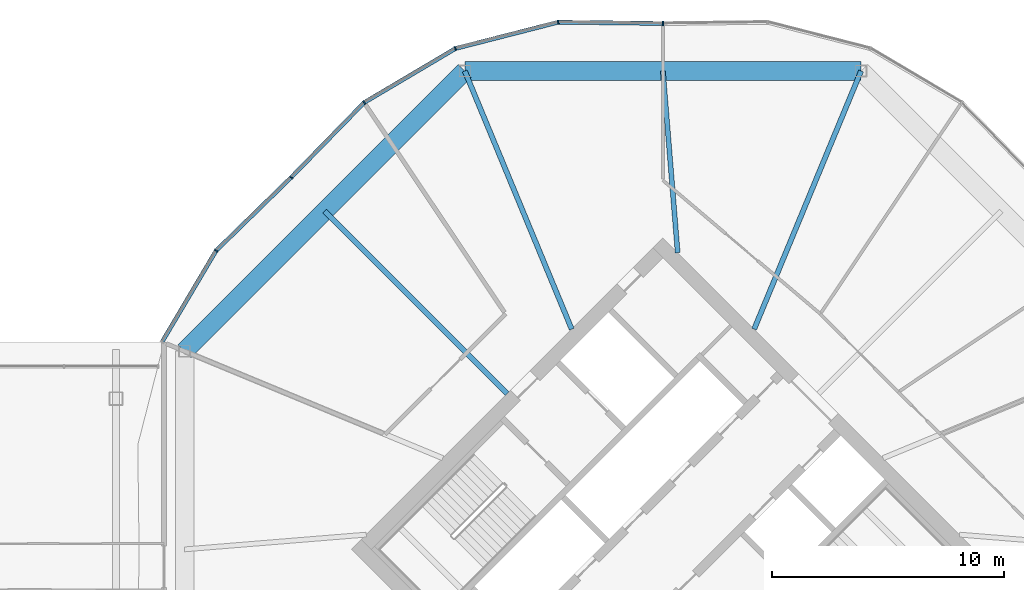
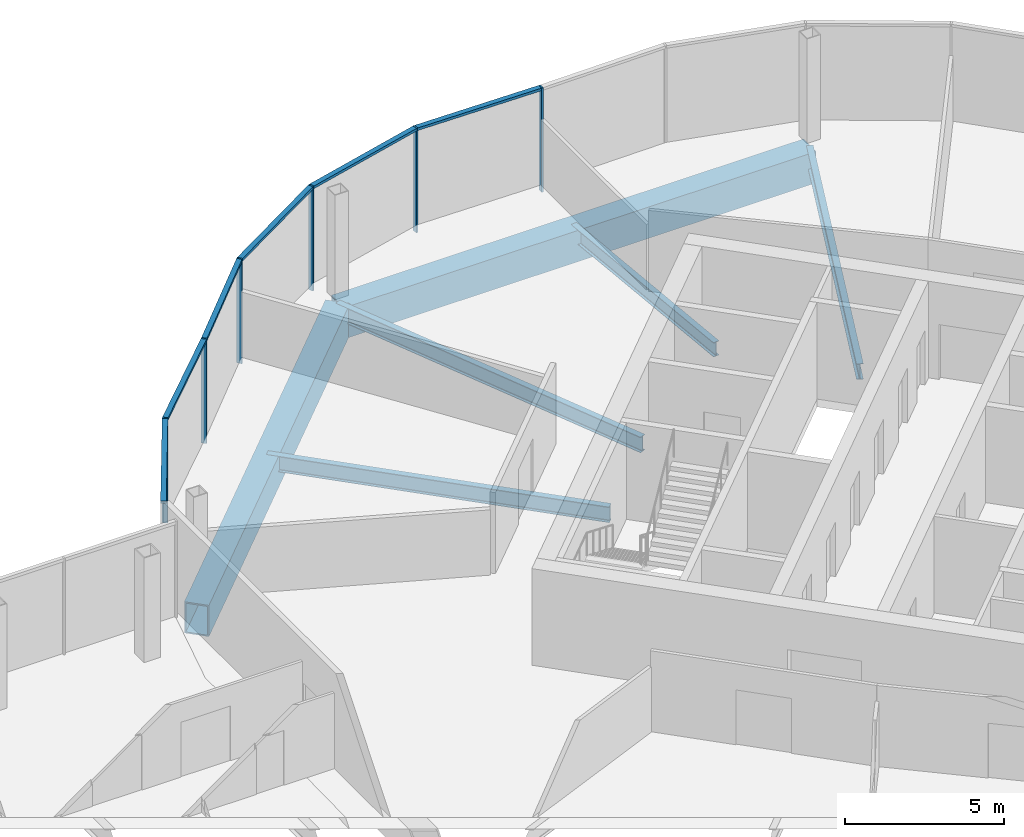
# One storey, part 15 of 25: 12 members, 6 beams, 3 elements without a shape of their own.
"""IFC4 building model written with IfcOpenShell, lengths in metres."""

import ifcopenshell
import ifcopenshell.guid

model = None  # the IFC model being written
_history = None  # IfcOwnerHistory: only IFC2X3 demands one
_inside = {}  # id of a spatial element -> (the spatial element, [elements in it])
_under = {}  # id of a project, library or spatial element -> (it, [spatial elements below it])
_declared = {}  # id of a project -> (the project, [libraries it declares])
_typed = {}  # id of a type object -> (the type object, [elements of that type])
_made_of = {}  # id of a material, layer set ... -> (it, [elements and type objects made of it])


def new_model(schema):
    """Start an empty IFC model of exactly this schema.

    Asked for "IFC4X3", IfcOpenShell would pick the latest addendum, in which some entities
    have other attributes; the version numbers below select the first issue.
    IFC2X3 requires an IfcOwnerHistory on every rooted entity: one is made here for all.
    """
    global model, _history
    if schema == "IFC4X3":
        model = ifcopenshell.file(schema_version=(4, 3, 0, 0))
    else:
        model = ifcopenshell.file(schema=schema)
    _inside.clear()
    _under.clear()
    _declared.clear()
    _typed.clear()
    _made_of.clear()
    _history = None
    if model.schema == "IFC2X3":
        org = make("IfcOrganization", Name="unknown")
        user = make(
            "IfcPersonAndOrganization",
            ThePerson=make("IfcPerson", FamilyName="unknown"),
            TheOrganization=org,
        )
        app = make(
            "IfcApplication",
            ApplicationDeveloper=org,
            Version="unknown",
            ApplicationFullName="unknown",
            ApplicationIdentifier="unknown",
        )
        _history = make(
            "IfcOwnerHistory",
            OwningUser=user,
            OwningApplication=app,
            ChangeAction="ADDED",
            CreationDate=0,
        )
    return model


def make(cls, **values):
    """One entity of the class cls with the attributes given. An attribute that is None is left unset."""
    return model.create_entity(
        cls, **{name: value for name, value in values.items() if value is not None}
    )


def rooted(cls, **values):
    """An entity with a GlobalId (a new one), such as an element, a storey or a relation."""
    return make(cls, GlobalId=ifcopenshell.guid.new(), OwnerHistory=_history, **values)


def si_unit(unit_type, name, prefix=None):
    """IfcSIUnit, for example si_unit("LENGTHUNIT", "METRE", prefix="MILLI")."""
    return make("IfcSIUnit", UnitType=unit_type, Prefix=prefix, Name=name)


def assignment(units):
    """IfcUnitAssignment: the units of a project."""
    return None if units is None else make("IfcUnitAssignment", Units=units)


def point(xyz):
    """IfcCartesianPoint."""
    return None if xyz is None else make("IfcCartesianPoint", Coordinates=xyz)


def direction(xyz):
    """IfcDirection."""
    return None if xyz is None else make("IfcDirection", DirectionRatios=xyz)


def frame(location, z_axis=None, x_axis=None):
    """IfcAxis2Placement3D, a coordinate frame: its origin and axes. An axis left out is left unset."""
    return make(
        "IfcAxis2Placement3D",
        Location=point(location),
        Axis=direction(z_axis),
        RefDirection=direction(x_axis),
    )


def frame_2d(location, x_axis=None):
    """IfcAxis2Placement2D, a coordinate frame in the plane: its origin and x axis."""
    return make(
        "IfcAxis2Placement2D", Location=point(location), RefDirection=direction(x_axis)
    )


def origin():
    """The frame at (0, 0, 0) with its axes left unset."""
    return frame((0.0, 0.0, 0.0))


def origin_2d():
    """The frame at (0, 0) in the plane with its x axis left unset."""
    return frame_2d((0.0, 0.0))


def place(relative_to, where):
    """IfcLocalPlacement: puts the frame where relative to a parent placement (None: the world)."""
    return make(
        "IfcLocalPlacement", PlacementRelTo=relative_to, RelativePlacement=where
    )


def context(
    kind, dimensions, precision=None, world=None, true_north=None, identifier=None
):
    """IfcGeometricRepresentationContext, for example the 3D "Model" context."""
    return make(
        "IfcGeometricRepresentationContext",
        ContextIdentifier=identifier,
        ContextType=kind,
        CoordinateSpaceDimension=dimensions,
        Precision=precision,
        WorldCoordinateSystem=world,
        TrueNorth=true_north,
    )


def subcontext(parent, identifier, kind, view, scale=None):
    """IfcGeometricRepresentationSubContext, for example "Body" below "Model"."""
    return make(
        "IfcGeometricRepresentationSubContext",
        ContextIdentifier=identifier,
        ContextType=kind,
        ParentContext=parent,
        TargetScale=scale,
        TargetView=view,
    )


def project(units=None, contexts=None):
    """IfcProject with its units and contexts."""
    return rooted(
        "IfcProject",
        Name="project",
        RepresentationContexts=contexts,
        UnitsInContext=assignment(units),
    )


def spatial(cls, under=None, at=None, **own):
    """A site, building, storey or space (cls), placed at a placement, below another one or the project."""
    s = rooted(cls, ObjectPlacement=at, **own)
    if under is not None:
        _under.setdefault(under.id(), (under, []))[1].append(s)
    return s


def profile(cls, at=None, kind="AREA", **sizes):
    """A parametric profile (cls). Its sizes go by their IFC names, for example OverallWidth=200.0."""
    return make(cls, ProfileType=kind, Position=at, **sizes)


def rectangle(**sizes):
    """IfcRectangleProfileDef."""
    return profile("IfcRectangleProfileDef", **sizes)


def hollow_rectangle(**sizes):
    """IfcRectangleHollowProfileDef."""
    return profile("IfcRectangleHollowProfileDef", **sizes)


def i_section(**sizes):
    """IfcIShapeProfileDef."""
    return profile("IfcIShapeProfileDef", **sizes)


def extrude(swept, where, along, depth):
    """IfcExtrudedAreaSolid: the profile swept, set in the frame where, extruded along a direction by depth."""
    return make(
        "IfcExtrudedAreaSolid",
        SweptArea=swept,
        Position=where,
        ExtrudedDirection=direction(along),
        Depth=depth,
    )


def shape(context_of_items, identifier, shape_type, items):
    """IfcShapeRepresentation: the items that make up one representation, for example the "Body"."""
    return make(
        "IfcShapeRepresentation",
        ContextOfItems=context_of_items,
        RepresentationIdentifier=identifier,
        RepresentationType=shape_type,
        Items=items,
    )


def material(Name=None, Category=None):
    """IfcMaterial."""
    return make("IfcMaterial", Name=Name, Category=Category)


def material_profile(
    of_material, cross_section, Name=None, Category=None, Priority=None
):
    """IfcMaterialProfile: a cross section and its material."""
    return make(
        "IfcMaterialProfile",
        Name=Name,
        Material=of_material,
        Profile=cross_section,
        Priority=Priority,
        Category=Category,
    )


def profile_set(profiles, Name=None, composite=None):
    """IfcMaterialProfileSet."""
    return make(
        "IfcMaterialProfileSet",
        Name=Name,
        MaterialProfiles=profiles,
        CompositeProfile=composite,
    )


def made_of(thing, what):
    """Note that an element or type object is made of a material, layer set ...; save() writes the relation."""
    if what is not None:
        _made_of.setdefault(what.id(), (what, []))[1].append(thing)
    return thing


def type_object(cls, material=None, **own):
    """A type object (cls), such as IfcWallType, which elements share."""
    return made_of(rooted(cls, **own), material)


def element(
    cls,
    number,
    at=None,
    inside=None,
    cuts=None,
    type_object=None,
    material=None,
    context=None,
    identifier="Body",
    shape_type=None,
    held_by="IfcProductDefinitionShape",
    body=None,
    shapes=None,
    **own,
):
    """One element of the class cls, such as IfcWall. Its Tag is "e" and its number.

    at: its placement. inside: the storey or other place that contains it. cuts: it is an
    opening in that element (IfcRelVoidsElement). A single representation is given by context,
    identifier, shape_type and body (its items); several are given by shapes. held_by: the class
    of the entity that holds the representations. save() writes the other relations.
    """
    e = rooted(cls, Tag="e%d" % number, ObjectPlacement=at, **own)
    if body is not None:
        shapes = [shape(context, identifier, shape_type, body)]
    if shapes is not None:
        e.Representation = make(held_by, Representations=shapes)
    if inside is not None:
        _inside.setdefault(inside.id(), (inside, []))[1].append(e)
    if cuts is not None:
        rooted(
            "IfcRelVoidsElement", RelatingBuildingElement=cuts, RelatedOpeningElement=e
        )
    if type_object is not None:
        _typed.setdefault(type_object.id(), (type_object, []))[1].append(e)
    return made_of(e, material)


def aggregate(whole, parts):
    """IfcRelAggregates: a whole, such as a stair, and the parts it consists of."""
    return rooted("IfcRelAggregates", RelatingObject=whole, RelatedObjects=parts)


def save(model, path):
    """Write the relations noted so far, then the file.

    IfcRelAggregates (storeys below a building ...), IfcRelContainedInSpatialStructure (elements
    in a storey), IfcRelDefinesByType, IfcRelAssociatesMaterial and IfcRelDeclares: one each for
    every whole, place, type object, material and project.
    """
    for whole, parts in _under.values():
        aggregate(whole, parts)
    for where, things in _inside.values():
        rooted(
            "IfcRelContainedInSpatialStructure",
            RelatedElements=things,
            RelatingStructure=where,
        )
    for kind, things in _typed.values():
        rooted("IfcRelDefinesByType", RelatedObjects=things, RelatingType=kind)
    for what, things in _made_of.values():
        rooted("IfcRelAssociatesMaterial", RelatedObjects=things, RelatingMaterial=what)
    for by, libraries in _declared.values():
        rooted("IfcRelDeclares", RelatingContext=by, RelatedDefinitions=libraries)
    model.write(path)


model = new_model("IFC4")

# Units and contexts
model_context = context("Model", 3, precision=1e-05, world=origin(), true_north=direction((0.0, 1.0)))
body_context = subcontext(model_context, "Body", "Model", "MODEL_VIEW")
ifc_project = project(units=[si_unit("LENGTHUNIT", "METRE"), si_unit("AREAUNIT", "SQUARE_METRE"), si_unit("VOLUMEUNIT", "CUBIC_METRE"), si_unit("PLANEANGLEUNIT", "RADIAN"), si_unit("MASSUNIT", "GRAM", prefix="KILO")], contexts=[model_context])

# Site, building, storey
site_placement = place(None, origin())
site = spatial("IfcSite", under=ifc_project, at=site_placement, CompositionType="ELEMENT")
building_placement = place(site_placement, origin())
building = spatial("IfcBuilding", under=site, at=building_placement, Name="Ogive Gate Towers", CompositionType="ELEMENT")
storey_placement = place(building_placement, frame((0.0, 0.0, 144.800048828125)))
storey = spatial("IfcBuildingStorey", under=building, at=storey_placement, Name="L34", CompositionType="ELEMENT", Elevation=144.800048828125)

# Beams
ifc_material_1 = material(Name="Steel SM460", Category="steel")
ifc_material_profile_1 = material_profile(ifc_material_1, hollow_rectangle(XDim=0.800048828125, YDim=1.199951171875, WallThickness=0.050048828125, at=origin_2d()), Name="BX 1200x800x50")
ifc_profile_set_1 = profile_set([ifc_material_profile_1], Name="Steel SM460")
beam_type_1 = type_object("IfcBeamType", Name="Edge girder BX 1200x800x50", PredefinedType="BEAM", material=ifc_profile_set_1)
beam_1_placement = place(storey_placement, frame((44.549072265625, 20.639404296875, -0.900146484375), z_axis=(-1.0, 0.0, 0.0), x_axis=(0.0, -1.0, 0.0)))
element("IfcBeam", 1, at=beam_1_placement, inside=storey, type_object=beam_type_1, Name="T2/L34/SBM022", PredefinedType="BEAM", context=body_context, shape_type="SweptSolid", body=[
    extrude(hollow_rectangle(XDim=0.800048828125, YDim=1.199951171875, WallThickness=0.050048828125, at=origin_2d()), origin(), (0.0, 0.0, 1.0), 17.09814453125),
])
beam_2_placement = place(storey_placement, frame((27.450927734375, 20.639404296875, -0.900146484375), z_axis=(-0.707106781187, -0.707106781187, 0.0), x_axis=(0.707106781187, -0.707106781187, 0.0)))
element("IfcBeam", 2, at=beam_2_placement, inside=storey, type_object=beam_type_1, Name="T2/L34/SBM023", PredefinedType="BEAM", context=body_context, shape_type="SweptSolid", body=[
    extrude(hollow_rectangle(XDim=0.800048828125, YDim=1.199951171875, WallThickness=0.050048828125, at=origin_2d()), origin(), (0.0, 0.0, 1.0), 17.098388671875),
])
ifc_material_2 = material(Name="Steel SM355", Category="steel")
ifc_material_profile_2 = material_profile(ifc_material_2, i_section(OverallWidth=0.2099609375, OverallDepth=0.550048828125, WebThickness=0.010986328125, FlangeThickness=0.01708984375, FilletRadius=0.02392578125, at=origin_2d()), Name="IPE 550")
ifc_profile_set_2 = profile_set([ifc_material_profile_2], Name="Steel SM355")
beam_type_2 = type_object("IfcBeamType", Name="Radial floor beam IPE 550", PredefinedType="BEAM", material=ifc_profile_set_2)
beam_3_placement = place(storey_placement, frame((36.636474609375, 12.798583984375, -0.574951171875), z_axis=(-0.080908365468, 0.996721544062, 0.0), x_axis=(-0.996721544062, -0.080908365468, 0.0)))
element("IfcBeam", 3, at=beam_3_placement, inside=storey, type_object=beam_type_2, Name="T2/L34/SBM012", PredefinedType="BEAM", context=body_context, shape_type="SweptSolid", body=[
    extrude(i_section(OverallWidth=0.2099609375, OverallDepth=0.550048828125, WebThickness=0.010986328125, FlangeThickness=0.01708984375, FilletRadius=0.02392578125, at=origin_2d()), origin(), (0.0, 0.0, 1.0), 7.86669921875),
])
ifc_material_profile_3 = material_profile(ifc_material_2, i_section(OverallWidth=0.219970703125, OverallDepth=0.60009765625, WebThickness=0.011962890625, FlangeThickness=0.01904296875, FilletRadius=0.02392578125, at=origin_2d()), Name="IPE 600")
ifc_profile_set_3 = profile_set([ifc_material_profile_3], Name="Steel SM355")
beam_type_3 = type_object("IfcBeamType", Name="Radial floor beam IPE 600", PredefinedType="BEAM", material=ifc_profile_set_3)
for number, where, z_axis, x_axis, name in (
    (4, (39.93505859375, 9.5, -0.60009765625), (0.382677863518, 0.923881839184, 0.0), (-0.923881839184, 0.382677863518, 0.0), "T2/L34/SBM011"),
    (5, (32.06494140625, 9.5, -0.60009765625), (-0.382677863518, 0.923881839184, 0.0), (-0.923881839184, -0.382677863518, 0.0), "T2/L34/SBM013"),
):
    element("IfcBeam", number, at=place(storey_placement, frame(where, z_axis=z_axis, x_axis=x_axis)), inside=storey, type_object=beam_type_3, Name=name, PredefinedType="BEAM", context=body_context, shape_type="SweptSolid", body=[
        extrude(i_section(OverallWidth=0.219970703125, OverallDepth=0.60009765625, WebThickness=0.011962890625, FlangeThickness=0.01904296875, FilletRadius=0.02392578125, at=origin_2d()), origin(), (0.0, 0.0, 1.0), 12.05712890625),
    ])
beam_4_placement = place(storey_placement, frame((29.282470703125, 6.717529296875, -0.60009765625), z_axis=(-0.707106781187, 0.707106781187, 0.0), x_axis=(-0.707106781187, -0.707106781187, 0.0)))
element("IfcBeam", 6, at=beam_4_placement, inside=storey, type_object=beam_type_3, Name="T2/L34/SBM014", PredefinedType="BEAM", context=body_context, shape_type="SweptSolid", body=[
    extrude(i_section(OverallWidth=0.219970703125, OverallDepth=0.60009765625, WebThickness=0.011962890625, FlangeThickness=0.01904296875, FilletRadius=0.02392578125, at=origin_2d()), origin(), (0.0, 0.0, 1.0), 11.139404296875),
])

# Curtain wall, member
ifc_material_3 = material(Name="Pale metal aluminium", Category="aluminium")
curtain_wall_type = type_object("IfcCurtainWallType", Name="Tower unitised wall, high zone", PredefinedType="NOTDEFINED", material=ifc_material_3)
curtain_wall_1_placement = place(storey_placement, origin())
curtain_wall_1 = element("IfcCurtainWall", 7, at=curtain_wall_1_placement, inside=storey, type_object=curtain_wall_type, Name="CW2 T2 ECW02", PredefinedType="NOTDEFINED")
ifc_material_profile_4 = material_profile(ifc_material_3, rectangle(XDim=0.179931640625, YDim=0.06005859375, at=origin_2d()), Name="60 x 180 aluminium box")
ifc_profile_set_4 = profile_set([ifc_material_profile_4], Name="Pale metal aluminium")
member_type_1 = type_object("IfcMemberType", Name="Tower unitised wall, high zone mullion 60 x 180", PredefinedType="MULLION", material=ifc_profile_set_4)
member_1_placement = place(storey_placement, frame((36.0, 22.68994140625, -0.300048828125), z_axis=(0.0, 0.0, 1.0), x_axis=(-0.012461328328, 0.999922354634, 0.0)))
member_1 = element("IfcMember", 8, at=member_1_placement, type_object=member_type_1, Name="CW2 mullion", PredefinedType="MULLION", context=body_context, shape_type="SweptSolid", body=[
    extrude(rectangle(XDim=0.179931640625, YDim=0.06005859375, at=origin_2d()), origin(), (0.0, 0.0, 1.0), 4.0),
])
aggregate(curtain_wall_1, [member_1])

# Curtain wall, members
curtain_wall_2_placement = place(storey_placement, origin())
curtain_wall_2 = element("IfcCurtainWall", 9, at=curtain_wall_2_placement, inside=storey, type_object=curtain_wall_type, Name="CW2 T2 ECW03", PredefinedType="NOTDEFINED")
member_2_placement = place(storey_placement, frame((31.482666015625, 22.746337890625, -0.300048828125), z_axis=(0.0, 0.0, 1.0), x_axis=(-0.118889208638, 0.992907526444, 0.0)))
member_2 = element("IfcMember", 10, at=member_2_placement, type_object=member_type_1, Name="CW2 mullion", PredefinedType="MULLION", context=body_context, shape_type="SweptSolid", body=[
    extrude(rectangle(XDim=0.179931640625, YDim=0.06005859375, at=origin_2d()), origin(), (0.0, 0.0, 1.0), 4.0),
])
member_3_placement = place(storey_placement, frame((27.048583984375, 21.610595703125, -0.300048828125), z_axis=(0.0, 0.0, 1.0), x_axis=(-0.382683432365, 0.923879532511, 0.0)))
member_3 = element("IfcMember", 11, at=member_3_placement, type_object=member_type_1, Name="CW2 mullion", PredefinedType="MULLION", context=body_context, shape_type="SweptSolid", body=[
    extrude(rectangle(XDim=0.179931640625, YDim=0.06005859375, at=origin_2d()), origin(), (0.0, 0.0, 1.0), 4.0),
])
member_4_placement = place(storey_placement, frame((23.110107421875, 19.2783203125, -0.300048828125), z_axis=(0.0, 0.0, 1.0), x_axis=(-0.618038000371, 0.786148223999, 0.0)))
member_4 = element("IfcMember", 12, at=member_4_placement, type_object=member_type_1, Name="CW2 mullion", PredefinedType="MULLION", context=body_context, shape_type="SweptSolid", body=[
    extrude(rectangle(XDim=0.179931640625, YDim=0.06005859375, at=origin_2d()), origin(), (0.0, 0.0, 1.0), 4.0),
])
member_5_placement = place(storey_placement, frame((19.955810546875, 16.044189453125, -0.300048828125), z_axis=(0.0, 0.0, 1.0), x_axis=(-0.715863367385, 0.698240387858, 0.0)))
member_5 = element("IfcMember", 13, at=member_5_placement, type_object=member_type_1, Name="CW2 mullion", PredefinedType="MULLION", context=body_context, shape_type="SweptSolid", body=[
    extrude(rectangle(XDim=0.179931640625, YDim=0.06005859375, at=origin_2d()), origin(), (0.0, 0.0, 1.0), 4.0),
])

# Curtain wall, member
curtain_wall_3_placement = place(storey_placement, origin())
curtain_wall_3 = element("IfcCurtainWall", 14, at=curtain_wall_3_placement, inside=storey, type_object=curtain_wall_type, Name="CW2 T2 ECW04", PredefinedType="NOTDEFINED")
member_6_placement = place(storey_placement, frame((16.7216796875, 12.889892578125, -0.300048828125), z_axis=(0.0, 0.0, 1.0), x_axis=(-0.786148223999, 0.618038000371, 0.0)))
member_6 = element("IfcMember", 15, at=member_6_placement, type_object=member_type_1, Name="CW2 mullion", PredefinedType="MULLION", context=body_context, shape_type="SweptSolid", body=[
    extrude(rectangle(XDim=0.179931640625, YDim=0.06005859375, at=origin_2d()), origin(), (0.0, 0.0, 1.0), 4.0),
])

# Member
ifc_material_profile_5 = material_profile(ifc_material_3, rectangle(XDim=0.179931640625, YDim=0.10009765625, at=origin_2d()), Name="100 x 180 aluminium box")
ifc_profile_set_5 = profile_set([ifc_material_profile_5], Name="Pale metal aluminium")
member_type_2 = type_object("IfcMemberType", Name="Tower unitised wall, high zone transom 100 x 180", PredefinedType="USERDEFINED", material=ifc_profile_set_5)
member_7_placement = place(storey_placement, frame((35.969970703125, 22.6904296875, 3.64990234375), z_axis=(-0.999922762686, 0.012428542251, 0.0), x_axis=(-0.012428542251, -0.999922762686, 0.0)))
member_7 = element("IfcMember", 16, at=member_7_placement, type_object=member_type_2, Name="CW2 transom", ObjectType="TRANSOM", PredefinedType="USERDEFINED", context=body_context, shape_type="SweptSolid", body=[
    extrude(rectangle(XDim=0.179931640625, YDim=0.10009765625, at=origin_2d()), origin(), (0.0, 0.0, 1.0), 4.458984375),
])

member_8_placement = place(storey_placement, frame((31.454833984375, 22.7392578125, 3.64990234375), z_axis=(-0.968708835066, -0.248199905048, 0.0), x_axis=(0.248199905048, -0.968708835066, 0.0)))
member_8 = element("IfcMember", 17, at=member_8_placement, type_object=member_type_2, Name="CW2 transom", ObjectType="TRANSOM", PredefinedType="USERDEFINED", context=body_context, shape_type="SweptSolid", body=[
    extrude(rectangle(XDim=0.179931640625, YDim=0.10009765625, at=origin_2d()), origin(), (0.0, 0.0, 1.0), 4.519775390625),
])

member_9_placement = place(storey_placement, frame((27.024169921875, 21.595703125, 3.64990234375), z_axis=(-0.860480997661, -0.509482534209, 0.0), x_axis=(0.509482534209, -0.860480997661, 0.0)))
member_9 = element("IfcMember", 18, at=member_9_placement, type_object=member_type_2, Name="CW2 transom", ObjectType="TRANSOM", PredefinedType="USERDEFINED", context=body_context, shape_type="SweptSolid", body=[
    extrude(rectangle(XDim=0.179931640625, YDim=0.10009765625, at=origin_2d()), origin(), (0.0, 0.0, 1.0), 4.519775390625),
])

member_10_placement = place(storey_placement, frame((23.090087890625, 19.2578125, 3.64990234375), z_axis=(-0.698236265486, -0.71586738825, 0.0), x_axis=(0.71586738825, -0.698236265486, 0.0)))
member_10 = element("IfcMember", 19, at=member_10_placement, type_object=member_type_2, Name="CW2 transom", ObjectType="TRANSOM", PredefinedType="USERDEFINED", context=body_context, shape_type="SweptSolid", body=[
    extrude(rectangle(XDim=0.179931640625, YDim=0.10009765625, at=origin_2d()), origin(), (0.0, 0.0, 1.0), 4.458740234375),
])

aggregate(curtain_wall_2, [member_2, member_7, member_3, member_8, member_4, member_9, member_5, member_10])

member_11_placement = place(storey_placement, frame((19.93408203125, 16.023193359375, 3.64990234375), z_axis=(-0.71586738825, -0.698236265486, 0.0), x_axis=(0.698236265486, -0.71586738825, 0.0)))
member_11 = element("IfcMember", 20, at=member_11_placement, type_object=member_type_2, Name="CW2 transom", ObjectType="TRANSOM", PredefinedType="USERDEFINED", context=body_context, shape_type="SweptSolid", body=[
    extrude(rectangle(XDim=0.179931640625, YDim=0.10009765625, at=origin_2d()), origin(), (0.0, 0.0, 1.0), 4.458740234375),
])

member_12_placement = place(storey_placement, frame((16.70703125, 12.864990234375, 3.64990234375), z_axis=(-0.509482534209, -0.860480997661, 0.0), x_axis=(0.860480997661, -0.509482534209, 0.0)))
member_12 = element("IfcMember", 21, at=member_12_placement, type_object=member_type_2, Name="CW2 transom", ObjectType="TRANSOM", PredefinedType="USERDEFINED", context=body_context, shape_type="SweptSolid", body=[
    extrude(rectangle(XDim=0.179931640625, YDim=0.10009765625, at=origin_2d()), origin(), (0.0, 0.0, 1.0), 4.519775390625),
])

aggregate(curtain_wall_3, [member_6, member_11, member_12])

save(model, "model.ifc")
